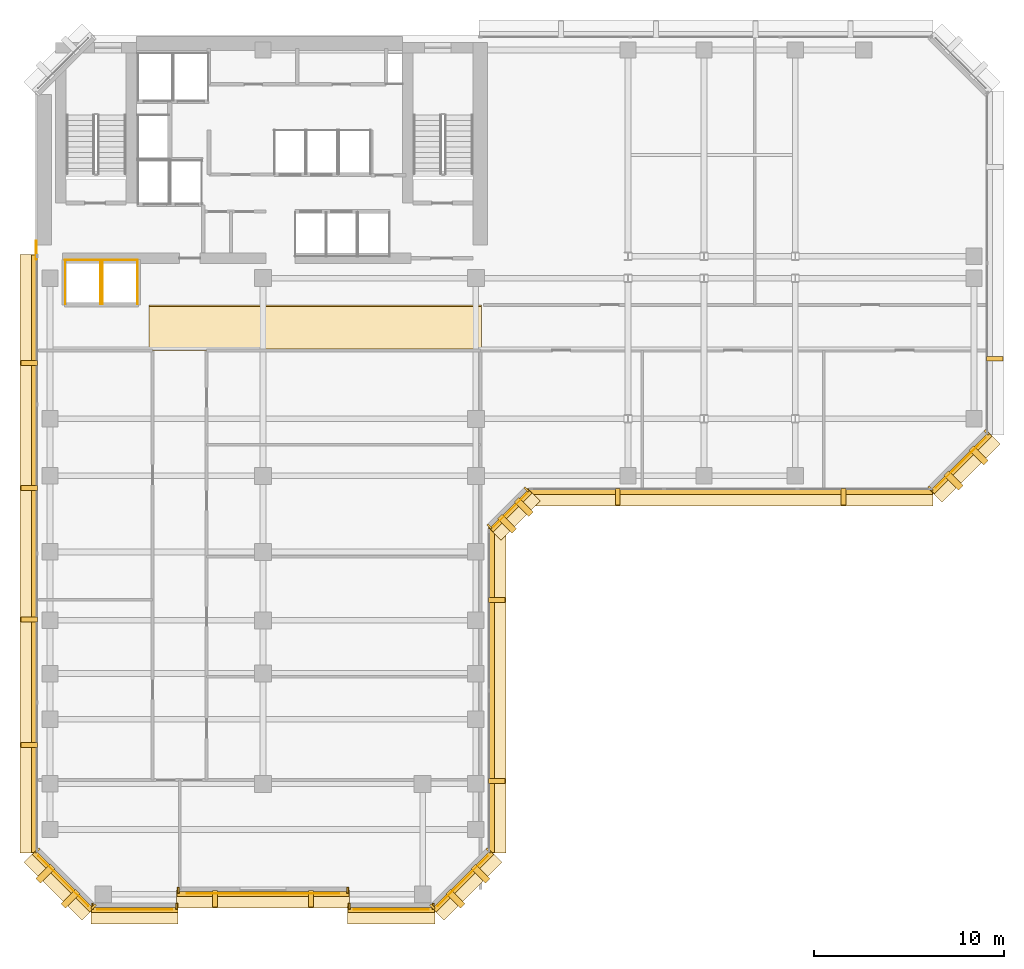
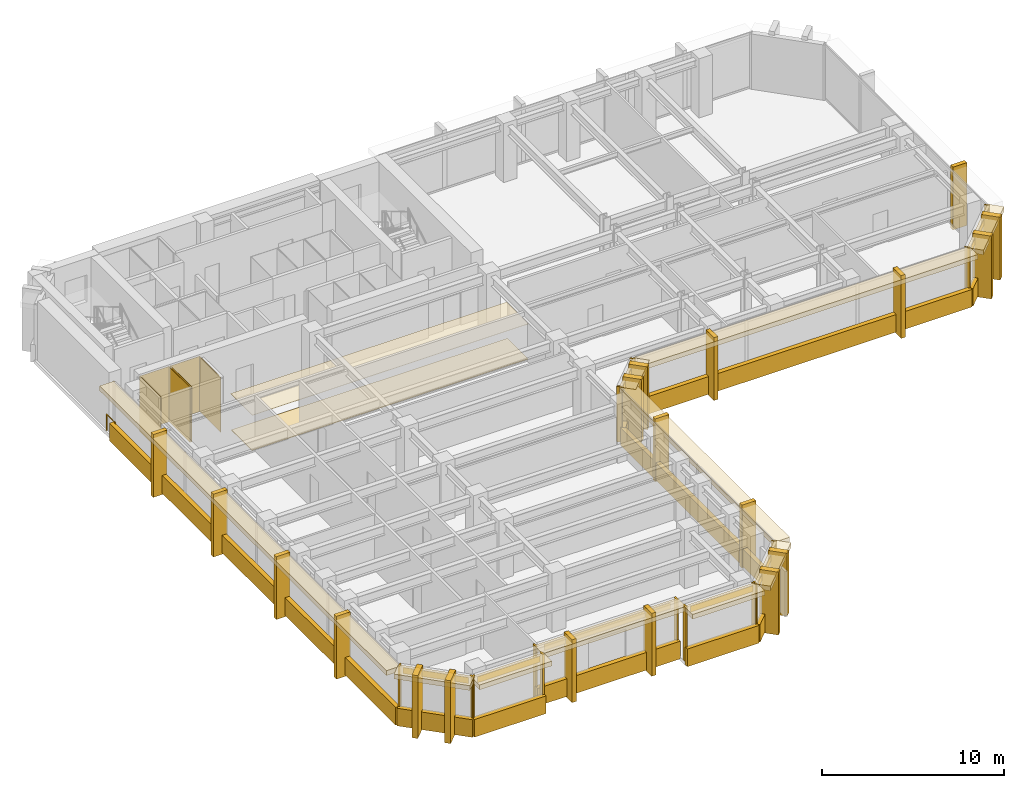
# One storey, part 9 of 11: 68 coverings, 1 railing.
"""IFC4 building model written with IfcOpenShell, lengths in metres."""

from ifc_helpers import new_model, si_unit, direction, frame, origin, origin_2d, place, context, subcontext, project, spatial, polyline, rectangle, circle, outline, extrude, material, layer, layer_set, type_object, element, save


model = new_model("IFC4")

# Units and contexts
model_context = context("Model", 3, precision=1e-05, world=origin(), true_north=direction((0.0, 1.0)))
body_context = subcontext(model_context, "Body", "Model", "MODEL_VIEW")
ifc_project = project(units=[si_unit("LENGTHUNIT", "METRE"), si_unit("AREAUNIT", "SQUARE_METRE"), si_unit("VOLUMEUNIT", "CUBIC_METRE"), si_unit("PLANEANGLEUNIT", "RADIAN"), si_unit("MASSUNIT", "GRAM", prefix="KILO")], contexts=[model_context])

# Site, building, storey
site_placement = place(None, origin())
site = spatial("IfcSite", under=ifc_project, at=site_placement, CompositionType="ELEMENT")
building_placement = place(site_placement, origin())
building = spatial("IfcBuilding", under=site, at=building_placement, Name="Kefirva Bronze Tower", CompositionType="ELEMENT")
storey_placement = place(building_placement, frame((0.0, 0.0, 146.85009765625)))
storey = spatial("IfcBuildingStorey", under=building, at=storey_placement, Name="L35", CompositionType="ELEMENT", Elevation=146.85009765625)

# Coverings
ifc_material_1 = material(Name="Acoustic mineral tile")
ifc_layer_1 = layer(ifc_material_1, 0.02490234375, Name="Acoustic mineral tile")
ifc_layer_set_1 = layer_set([ifc_layer_1], Name="Acoustic mineral tile")
covering_type_1 = type_object("IfcCoveringType", Name="Acoustic Mineral Suspended Ceiling 25mm", PredefinedType="CEILING", material=ifc_layer_set_1)
covering_1_placement = place(storey_placement, frame((0.0, 0.0, 2.39990234375)))
element("IfcCovering", 1, at=covering_1_placement, inside=storey, type_object=covering_type_1, Name="L35 Corridor Acoustic Ceiling", PredefinedType="CEILING", context=body_context, shape_type="SweptSolid", body=[
    extrude(outline(polyline([(6.0, 29.39990234375), (23.5, 29.39990234375), (23.5, 31.800048828125), (6.0, 31.800048828125), (6.0, 29.39990234375)])), origin(), (0.0, 0.0, 1.0), 0.02490234375),
])
ifc_material_2 = material(Name="Bronze anodised aluminium", Category="aluminium")
ifc_layer_2 = layer(ifc_material_2, 0.02001953125, Name="Bronze anodised aluminium")
ifc_layer_set_2 = layer_set([ifc_layer_2], Name="Bronze anodised aluminium")
covering_type_2 = type_object("IfcCoveringType", Name="Anodised Bronze Spandrel Cladding 20mm", PredefinedType="CLADDING", material=ifc_layer_set_2)
covering_2_placement = place(storey_placement, frame((5.25, -0.010009765625, 3.2900390625), z_axis=(0.0, 0.0, 1.0), x_axis=(1.0, 0.0, 0.0)))
element("IfcCovering", 2, at=covering_2_placement, inside=storey, type_object=covering_type_2, Name="L35 Bronze Spandrel Cladding 1", PredefinedType="CLADDING", context=body_context, shape_type="SweptSolid", body=[
    extrude(rectangle(XDim=3.950927734375, YDim=0.02001953125, at=origin_2d()), origin(), (0.0, 0.0, 1.0), 0.39990234375),
])
for number, where, z_axis, x_axis, name in (
    (3, (3.034912109375, 0.159912109375, 0.0), (0.0, 0.0, 1.0), (1.0, 0.0, 0.0), "L35 Facade Joint Closure Panel 1S"),
    (4, (7.465087890625, 0.159912109375, 0.0), (0.0, 0.0, 1.0), (1.0, 0.0, 0.0), "L35 Facade Joint Closure Panel 1E"),
):
    element("IfcCovering", number, at=place(storey_placement, frame(where, z_axis=z_axis, x_axis=x_axis)), inside=storey, type_object=covering_type_2, Name=name, PredefinedType="CLADDING", context=body_context, shape_type="SweptSolid", body=[
        extrude(rectangle(XDim=0.10009765625, YDim=0.320068359375, at=origin_2d()), origin(), (0.0, 0.0, 1.0), 3.7099609375),
    ])
covering_3_placement = place(storey_placement, frame((5.25, -0.0400390625, -0.16015625), z_axis=(0.0, 0.0, 1.0), x_axis=(1.0, 0.0, 0.0)))
element("IfcCovering", 5, at=covering_3_placement, inside=storey, type_object=covering_type_2, Name="L35 Streamline Horizontal Spandrel Band 0", PredefinedType="CLADDING", context=body_context, shape_type="SweptSolid", body=[
    extrude(rectangle(XDim=4.5400390625, YDim=0.280029296875, at=origin_2d()), origin(), (0.0, 0.0, 1.0), 1.179931640625),
])
covering_4_placement = place(storey_placement, frame((12.0, 0.840087890625, 3.2900390625), z_axis=(0.0, 0.0, 1.0), x_axis=(1.0, 0.0, 0.0)))
element("IfcCovering", 6, at=covering_4_placement, inside=storey, type_object=covering_type_2, Name="L35 Bronze Spandrel Cladding 2", PredefinedType="CLADDING", context=body_context, shape_type="SweptSolid", body=[
    extrude(rectangle(XDim=8.0009765625, YDim=0.02001953125, at=origin_2d()), origin(), (0.0, 0.0, 1.0), 0.39990234375),
])
for number, where, z_axis, x_axis, name in (
    (7, (7.534912109375, 1.010009765625, 0.0), (0.0, 0.0, 1.0), (1.0, 0.0, 0.0), "L35 Facade Joint Closure Panel 2S"),
    (8, (16.465087890625, 1.010009765625, 0.0), (0.0, 0.0, 1.0), (1.0, 0.0, 0.0), "L35 Facade Joint Closure Panel 2E"),
):
    element("IfcCovering", number, at=place(storey_placement, frame(where, z_axis=z_axis, x_axis=x_axis)), inside=storey, type_object=covering_type_2, Name=name, PredefinedType="CLADDING", context=body_context, shape_type="SweptSolid", body=[
        extrude(rectangle(XDim=0.10009765625, YDim=0.320068359375, at=origin_2d()), origin(), (0.0, 0.0, 1.0), 3.7099609375),
    ])
covering_5_placement = place(storey_placement, frame((12.0, 0.81005859375, -0.16015625), z_axis=(0.0, 0.0, 1.0), x_axis=(1.0, 0.0, 0.0)))
element("IfcCovering", 9, at=covering_5_placement, inside=storey, type_object=covering_type_2, Name="L35 Streamline Horizontal Spandrel Band 2", PredefinedType="CLADDING", context=body_context, shape_type="SweptSolid", body=[
    extrude(rectangle(XDim=9.0400390625, YDim=0.280029296875, at=origin_2d()), origin(), (0.0, 0.0, 1.0), 1.179931640625),
])
covering_6_placement = place(storey_placement, frame((18.75, -0.010009765625, 3.2900390625), z_axis=(0.0, 0.0, 1.0), x_axis=(1.0, 0.0, 0.0)))
element("IfcCovering", 10, at=covering_6_placement, inside=storey, type_object=covering_type_2, Name="L35 Bronze Spandrel Cladding 3", PredefinedType="CLADDING", context=body_context, shape_type="SweptSolid", body=[
    extrude(rectangle(XDim=3.950927734375, YDim=0.02001953125, at=origin_2d()), origin(), (0.0, 0.0, 1.0), 0.39990234375),
])
for number, where, z_axis, x_axis, name in (
    (11, (16.534912109375, 0.159912109375, 0.0), (0.0, 0.0, 1.0), (1.0, 0.0, 0.0), "L35 Facade Joint Closure Panel 3S"),
    (12, (20.965087890625, 0.159912109375, 0.0), (0.0, 0.0, 1.0), (1.0, 0.0, 0.0), "L35 Facade Joint Closure Panel 3E"),
):
    element("IfcCovering", number, at=place(storey_placement, frame(where, z_axis=z_axis, x_axis=x_axis)), inside=storey, type_object=covering_type_2, Name=name, PredefinedType="CLADDING", context=body_context, shape_type="SweptSolid", body=[
        extrude(rectangle(XDim=0.10009765625, YDim=0.320068359375, at=origin_2d()), origin(), (0.0, 0.0, 1.0), 3.7099609375),
    ])
covering_7_placement = place(storey_placement, frame((18.75, -0.0400390625, -0.16015625), z_axis=(0.0, 0.0, 1.0), x_axis=(1.0, 0.0, 0.0)))
element("IfcCovering", 13, at=covering_7_placement, inside=storey, type_object=covering_type_2, Name="L35 Streamline Horizontal Spandrel Band 4", PredefinedType="CLADDING", context=body_context, shape_type="SweptSolid", body=[
    extrude(rectangle(XDim=4.5400390625, YDim=0.280029296875, at=origin_2d()), origin(), (0.0, 0.0, 1.0), 1.179931640625),
])
covering_8_placement = place(storey_placement, frame((22.507080078125, 1.492919921875, 3.2900390625), z_axis=(0.0, 0.0, 1.0), x_axis=(0.707106781187, 0.707106781187, 0.0)))
element("IfcCovering", 14, at=covering_8_placement, inside=storey, type_object=covering_type_2, Name="L35 Bronze Spandrel Cladding 4", PredefinedType="CLADDING", context=body_context, shape_type="SweptSolid", body=[
    extrude(rectangle(XDim=3.719482421875, YDim=0.02001953125, at=origin_2d()), origin(), (0.0, 0.0, 1.0), 0.39990234375),
])
for number, where, z_axis, x_axis, name in (
    (15, (20.91162109375, 0.137939453125, 0.0), (0.0, 0.0, 1.0), (0.707106781187, 0.707106781187, 0.0), "L35 Facade Joint Closure Panel 4S"),
    (16, (23.862060546875, 3.08837890625, 0.0), (0.0, 0.0, 1.0), (0.707106781187, 0.707106781187, 0.0), "L35 Facade Joint Closure Panel 4E"),
):
    element("IfcCovering", number, at=place(storey_placement, frame(where, z_axis=z_axis, x_axis=x_axis)), inside=storey, type_object=covering_type_2, Name=name, PredefinedType="CLADDING", context=body_context, shape_type="SweptSolid", body=[
        extrude(rectangle(XDim=0.10009765625, YDim=0.320068359375, at=origin_2d()), origin(), (0.0, 0.0, 1.0), 3.7099609375),
    ])
covering_9_placement = place(storey_placement, frame((22.5283203125, 1.4716796875, -0.16015625), z_axis=(0.0, 0.0, 1.0), x_axis=(0.707106781187, 0.707106781187, 0.0)))
element("IfcCovering", 17, at=covering_9_placement, inside=storey, type_object=covering_type_2, Name="L35 Streamline Horizontal Spandrel Band 5", PredefinedType="CLADDING", context=body_context, shape_type="SweptSolid", body=[
    extrude(rectangle(XDim=4.28271484375, YDim=0.280029296875, at=origin_2d()), origin(), (0.0, 0.0, 1.0), 1.179931640625),
])
covering_10_placement = place(storey_placement, frame((24.0400390625, 11.5, -0.16015625), z_axis=(0.0, 0.0, 1.0), x_axis=(0.0, 1.0, 0.0)))
element("IfcCovering", 18, at=covering_10_placement, inside=storey, type_object=covering_type_2, Name="L35 Streamline Horizontal Spandrel Band 6", PredefinedType="CLADDING", context=body_context, shape_type="SweptSolid", body=[
    extrude(rectangle(XDim=17.0400390625, YDim=0.280029296875, at=origin_2d()), origin(), (0.0, 0.0, 1.0), 1.179931640625),
])
covering_11_placement = place(storey_placement, frame((25.007080078125, 20.992919921875, 3.2900390625), z_axis=(0.0, 0.0, 1.0), x_axis=(0.707106781187, 0.707106781187, 0.0)))
element("IfcCovering", 19, at=covering_11_placement, inside=storey, type_object=covering_type_2, Name="L35 Bronze Spandrel Cladding 5", PredefinedType="CLADDING", context=body_context, shape_type="SweptSolid", body=[
    extrude(rectangle(XDim=2.446533203125, YDim=0.02001953125, at=origin_2d()), origin(), (0.0, 0.0, 1.0), 0.39990234375),
])
for number, where, z_axis, x_axis, name in (
    (20, (23.91162109375, 20.137939453125, 0.0), (0.0, 0.0, 1.0), (0.707106781187, 0.707106781187, 0.0), "L35 Facade Joint Closure Panel 5S"),
    (21, (25.862060546875, 22.08837890625, 0.0), (0.0, 0.0, 1.0), (0.707106781187, 0.707106781187, 0.0), "L35 Facade Joint Closure Panel 5E"),
):
    element("IfcCovering", number, at=place(storey_placement, frame(where, z_axis=z_axis, x_axis=x_axis)), inside=storey, type_object=covering_type_2, Name=name, PredefinedType="CLADDING", context=body_context, shape_type="SweptSolid", body=[
        extrude(rectangle(XDim=0.10009765625, YDim=0.320068359375, at=origin_2d()), origin(), (0.0, 0.0, 1.0), 3.7099609375),
    ])
covering_12_placement = place(storey_placement, frame((25.0283203125, 20.9716796875, -0.16015625), z_axis=(0.0, 0.0, 1.0), x_axis=(0.707106781187, 0.707106781187, 0.0)))
element("IfcCovering", 22, at=covering_12_placement, inside=storey, type_object=covering_type_2, Name="L35 Streamline Horizontal Spandrel Band 7", PredefinedType="CLADDING", context=body_context, shape_type="SweptSolid", body=[
    extrude(rectangle(XDim=2.868408203125, YDim=0.280029296875, at=origin_2d()), origin(), (0.0, 0.0, 1.0), 1.179931640625),
])
covering_13_placement = place(storey_placement, frame((36.60009765625, 21.9599609375, -0.16015625), z_axis=(0.0, 0.0, 1.0), x_axis=(1.0, 0.0, 0.0)))
element("IfcCovering", 23, at=covering_13_placement, inside=storey, type_object=covering_type_2, Name="L35 Streamline Horizontal Spandrel Band 8", PredefinedType="CLADDING", context=body_context, shape_type="SweptSolid", body=[
    extrude(rectangle(XDim=21.239990234375, YDim=0.280029296875, at=origin_2d()), origin(), (0.0, 0.0, 1.0), 1.179931640625),
])
covering_14_placement = place(storey_placement, frame((48.70703125, 23.492919921875, 3.2900390625), z_axis=(0.0, 0.0, 1.0), x_axis=(0.707106781187, 0.707106781187, 0.0)))
element("IfcCovering", 24, at=covering_14_placement, inside=storey, type_object=covering_type_2, Name="L35 Bronze Spandrel Cladding 6", PredefinedType="CLADDING", context=body_context, shape_type="SweptSolid", body=[
    extrude(rectangle(XDim=3.719482421875, YDim=0.02001953125, at=origin_2d()), origin(), (0.0, 0.0, 1.0), 0.39990234375),
])
for number, where, z_axis, x_axis, name in (
    (25, (47.11181640625, 22.137939453125, 0.0), (0.0, 0.0, 1.0), (0.707106781187, 0.707106781187, 0.0), "L35 Facade Joint Closure Panel 6S"),
    (26, (50.06201171875, 25.08837890625, 0.0), (0.0, 0.0, 1.0), (0.707106781187, 0.707106781187, 0.0), "L35 Facade Joint Closure Panel 6E"),
):
    element("IfcCovering", number, at=place(storey_placement, frame(where, z_axis=z_axis, x_axis=x_axis)), inside=storey, type_object=covering_type_2, Name=name, PredefinedType="CLADDING", context=body_context, shape_type="SweptSolid", body=[
        extrude(rectangle(XDim=0.10009765625, YDim=0.320068359375, at=origin_2d()), origin(), (0.0, 0.0, 1.0), 3.7099609375),
    ])
covering_15_placement = place(storey_placement, frame((48.728271484375, 23.4716796875, -0.16015625), z_axis=(0.0, 0.0, 1.0), x_axis=(0.707106781187, 0.707106781187, 0.0)))
element("IfcCovering", 27, at=covering_15_placement, inside=storey, type_object=covering_type_2, Name="L35 Streamline Horizontal Spandrel Band 9", PredefinedType="CLADDING", context=body_context, shape_type="SweptSolid", body=[
    extrude(rectangle(XDim=4.28271484375, YDim=0.280029296875, at=origin_2d()), origin(), (0.0, 0.0, 1.0), 1.179931640625),
])
covering_16_placement = place(storey_placement, frame((-0.0400390625, 18.697509765625, -0.16015625), z_axis=(0.0, 0.0, 1.0), x_axis=(0.0, -1.0, 0.0)))
element("IfcCovering", 28, at=covering_16_placement, inside=storey, type_object=covering_type_2, Name="L35 Streamline Horizontal Spandrel Band 14", PredefinedType="CLADDING", context=body_context, shape_type="SweptSolid", body=[
    extrude(rectangle(XDim=31.43505859375, YDim=0.280029296875, at=origin_2d()), origin(), (0.0, 0.0, 1.0), 1.179931640625),
])
covering_17_placement = place(storey_placement, frame((1.492919921875, 1.492919921875, 3.2900390625), z_axis=(0.0, 0.0, 1.0), x_axis=(0.707106781187, -0.707106781187, 0.0)))
element("IfcCovering", 29, at=covering_17_placement, inside=storey, type_object=covering_type_2, Name="L35 Bronze Spandrel Cladding 9", PredefinedType="CLADDING", context=body_context, shape_type="SweptSolid", body=[
    extrude(rectangle(XDim=3.719482421875, YDim=0.02001953125, at=origin_2d()), origin(), (0.0, 0.0, 1.0), 0.39990234375),
])
for number, where, z_axis, x_axis, name in (
    (30, (0.137939453125, 3.08837890625, 0.0), (0.0, 0.0, 1.0), (0.707106781187, -0.707106781187, 0.0), "L35 Facade Joint Closure Panel 9S"),
    (31, (3.08837890625, 0.137939453125, 0.0), (0.0, 0.0, 1.0), (0.707106781187, -0.707106781187, 0.0), "L35 Facade Joint Closure Panel 9E"),
):
    element("IfcCovering", number, at=place(storey_placement, frame(where, z_axis=z_axis, x_axis=x_axis)), inside=storey, type_object=covering_type_2, Name=name, PredefinedType="CLADDING", context=body_context, shape_type="SweptSolid", body=[
        extrude(rectangle(XDim=0.10009765625, YDim=0.320068359375, at=origin_2d()), origin(), (0.0, 0.0, 1.0), 3.7099609375),
    ])
covering_18_placement = place(storey_placement, frame((1.4716796875, 1.4716796875, -0.16015625), z_axis=(0.0, 0.0, 1.0), x_axis=(0.707106781187, -0.707106781187, 0.0)))
element("IfcCovering", 32, at=covering_18_placement, inside=storey, type_object=covering_type_2, Name="L35 Streamline Horizontal Spandrel Band 15", PredefinedType="CLADDING", context=body_context, shape_type="SweptSolid", body=[
    extrude(rectangle(XDim=4.28271484375, YDim=0.280029296875, at=origin_2d()), origin(), (0.0, 0.0, 1.0), 1.179931640625),
])
covering_19_placement = place(storey_placement, origin())
element("IfcCovering", 33, at=covering_19_placement, inside=storey, type_object=covering_type_2, Name="L35 Lift OB1 Hoistway Liner N", PredefinedType="CLADDING", context=body_context, shape_type="SweptSolid", body=[
    extrude(outline(polyline([(1.580078125, 34.139892578125), (3.469970703125, 34.139892578125), (3.469970703125, 34.159912109375), (1.580078125, 34.159912109375), (1.580078125, 34.139892578125)])), origin(), (0.0, 0.0, 1.0), 3.7099609375),
])
covering_20_placement = place(storey_placement, origin())
element("IfcCovering", 34, at=covering_20_placement, inside=storey, type_object=covering_type_2, Name="L35 Lift OB1 Hoistway Liner W", PredefinedType="CLADDING", context=body_context, shape_type="SweptSolid", body=[
    extrude(outline(polyline([(1.590087890625, 31.830078125), (1.610107421875, 31.830078125), (1.610107421875, 34.169921875), (1.590087890625, 34.169921875), (1.590087890625, 31.830078125)])), origin(), (0.0, 0.0, 1.0), 3.7099609375),
])
covering_21_placement = place(storey_placement, origin())
element("IfcCovering", 35, at=covering_21_placement, inside=storey, type_object=covering_type_2, Name="L35 Lift OB1 Hoistway Liner E", PredefinedType="CLADDING", context=body_context, shape_type="SweptSolid", body=[
    extrude(outline(polyline([(3.43994140625, 31.830078125), (3.4599609375, 31.830078125), (3.4599609375, 34.169921875), (3.43994140625, 34.169921875), (3.43994140625, 31.830078125)])), origin(), (0.0, 0.0, 1.0), 3.7099609375),
])
covering_22_placement = place(storey_placement, origin())
element("IfcCovering", 36, at=covering_22_placement, inside=storey, type_object=covering_type_2, Name="L35 Lift OB2 Hoistway Liner N", PredefinedType="CLADDING", context=body_context, shape_type="SweptSolid", body=[
    extrude(outline(polyline([(3.530029296875, 34.139892578125), (5.419921875, 34.139892578125), (5.419921875, 34.159912109375), (3.530029296875, 34.159912109375), (3.530029296875, 34.139892578125)])), origin(), (0.0, 0.0, 1.0), 3.7099609375),
])
covering_23_placement = place(storey_placement, origin())
element("IfcCovering", 37, at=covering_23_placement, inside=storey, type_object=covering_type_2, Name="L35 Lift OB2 Hoistway Liner W", PredefinedType="CLADDING", context=body_context, shape_type="SweptSolid", body=[
    extrude(outline(polyline([(3.5400390625, 31.830078125), (3.56005859375, 31.830078125), (3.56005859375, 34.169921875), (3.5400390625, 34.169921875), (3.5400390625, 31.830078125)])), origin(), (0.0, 0.0, 1.0), 3.7099609375),
])
covering_24_placement = place(storey_placement, origin())
element("IfcCovering", 38, at=covering_24_placement, inside=storey, type_object=covering_type_2, Name="L35 Lift OB2 Hoistway Liner E", PredefinedType="CLADDING", context=body_context, shape_type="SweptSolid", body=[
    extrude(outline(polyline([(5.389892578125, 31.830078125), (5.409912109375, 31.830078125), (5.409912109375, 34.169921875), (5.389892578125, 34.169921875), (5.389892578125, 31.830078125)])), origin(), (0.0, 0.0, 1.0), 3.7099609375),
])

# Railing
ifc_material_3 = material(Name="Stainless steel 316", Category="steel")
railing_type = type_object("IfcRailingType", Name="Interior Stair Guardrail 1100mm", PredefinedType="GUARDRAIL", material=ifc_material_3)
railing_placement = place(storey_placement, frame((0.080078125, 34.199951171875, 0.0)))
element("IfcRailing", 39, at=railing_placement, inside=storey, type_object=railing_type, Name="L35 West Core Junction Guardrail", PredefinedType="GUARDRAIL", context=body_context, shape_type="SweptSolid", body=[
    extrude(circle(Radius=0.02392578125, at=origin_2d()), frame((0.0, 0.0, 1.076171875), z_axis=(0.0, 1.0, 0.0), x_axis=(-1.0, 0.0, 0.0)), (0.0, 0.0, 1.0), 0.949951171875),
    extrude(circle(Radius=0.02099609375, at=origin_2d()), origin(), (0.0, 0.0, 1.0), 1.052001953125),
    extrude(circle(Radius=0.02099609375, at=origin_2d()), frame((0.0, 0.949951171875, 0.0)), (0.0, 0.0, 1.0), 1.052001953125),
])

# Coverings
ifc_material_4 = material(Name="Calcium sulphate access tile")
ifc_layer_3 = layer(ifc_material_4, 0.044921875, Name="Calcium sulphate access tile")
ifc_layer_set_3 = layer_set([ifc_layer_3], Name="Calcium sulphate access tile")
covering_type_3 = type_object("IfcCoveringType", Name="Raised Access Office Flooring 45mm", PredefinedType="FLOORING", material=ifc_layer_set_3)
covering_25_placement = place(storey_placement, origin())
element("IfcCovering", 40, at=covering_25_placement, inside=storey, type_object=covering_type_3, Name="L35 Architectural Finish Flooring", PredefinedType="FLOORING", context=body_context, shape_type="SweptSolid", body=[
    extrude(outline(polyline([(6.0, 29.47998046875), (23.5, 29.47998046875), (23.5, 31.719970703125), (6.0, 31.719970703125), (6.0, 29.47998046875)])), origin(), (0.0, 0.0, 1.0), 0.044921875),
])
ifc_layer_4 = layer(ifc_material_2, 0.179931640625, Name="Bronze anodised aluminium")
ifc_layer_set_4 = layer_set([ifc_layer_4], Name="Bronze anodised aluminium")
covering_type_4 = type_object("IfcCoveringType", Name="Streamline Bronze Sunshade Eyebrow Cladding 180mm", PredefinedType="CLADDING", material=ifc_layer_set_4)
covering_26_placement = place(storey_placement, frame((5.25, -0.31005859375, 3.3896484375), z_axis=(0.0, 0.0, 1.0), x_axis=(1.0, 0.0, 0.0)))
element("IfcCovering", 41, at=covering_26_placement, inside=storey, type_object=covering_type_4, Name="L35 Streamline Bronze Sunshade Eyebrow 0", PredefinedType="CLADDING", context=body_context, shape_type="SweptSolid", body=[
    extrude(rectangle(XDim=4.580078125, YDim=0.93994140625, at=origin_2d()), origin(), (0.0, 0.0, 1.0), 0.320068359375),
])
covering_27_placement = place(storey_placement, frame((12.0, 0.5400390625, 3.3896484375), z_axis=(0.0, 0.0, 1.0), x_axis=(1.0, 0.0, 0.0)))
element("IfcCovering", 42, at=covering_27_placement, inside=storey, type_object=covering_type_4, Name="L35 Streamline Bronze Sunshade Eyebrow 2", PredefinedType="CLADDING", context=body_context, shape_type="SweptSolid", body=[
    extrude(rectangle(XDim=9.080078125, YDim=0.93994140625, at=origin_2d()), origin(), (0.0, 0.0, 1.0), 0.320068359375),
])
covering_28_placement = place(storey_placement, frame((18.75, -0.31005859375, 3.3896484375), z_axis=(0.0, 0.0, 1.0), x_axis=(1.0, 0.0, 0.0)))
element("IfcCovering", 43, at=covering_28_placement, inside=storey, type_object=covering_type_4, Name="L35 Streamline Bronze Sunshade Eyebrow 4", PredefinedType="CLADDING", context=body_context, shape_type="SweptSolid", body=[
    extrude(rectangle(XDim=4.580078125, YDim=0.93994140625, at=origin_2d()), origin(), (0.0, 0.0, 1.0), 0.320068359375),
])
covering_29_placement = place(storey_placement, frame((22.71923828125, 1.28076171875, 3.3896484375), z_axis=(0.0, 0.0, 1.0), x_axis=(0.707106781187, 0.707106781187, 0.0)))
element("IfcCovering", 44, at=covering_29_placement, inside=storey, type_object=covering_type_4, Name="L35 Streamline Bronze Sunshade Eyebrow 5", PredefinedType="CLADDING", context=body_context, shape_type="SweptSolid", body=[
    extrude(rectangle(XDim=4.322509765625, YDim=0.93994140625, at=origin_2d()), origin(), (0.0, 0.0, 1.0), 0.320068359375),
])
covering_30_placement = place(storey_placement, frame((24.31005859375, 11.5, 3.3896484375), z_axis=(0.0, 0.0, 1.0), x_axis=(0.0, 1.0, 0.0)))
element("IfcCovering", 45, at=covering_30_placement, inside=storey, type_object=covering_type_4, Name="L35 Streamline Bronze Sunshade Eyebrow 6", PredefinedType="CLADDING", context=body_context, shape_type="SweptSolid", body=[
    extrude(rectangle(XDim=17.080078125, YDim=0.93994140625, at=origin_2d()), origin(), (0.0, 0.0, 1.0), 0.320068359375),
])
covering_31_placement = place(storey_placement, frame((25.21923828125, 20.78076171875, 3.3896484375), z_axis=(0.0, 0.0, 1.0), x_axis=(0.707106781187, 0.707106781187, 0.0)))
element("IfcCovering", 46, at=covering_31_placement, inside=storey, type_object=covering_type_4, Name="L35 Streamline Bronze Sunshade Eyebrow 7", PredefinedType="CLADDING", context=body_context, shape_type="SweptSolid", body=[
    extrude(rectangle(XDim=2.908447265625, YDim=0.93994140625, at=origin_2d()), origin(), (0.0, 0.0, 1.0), 0.320068359375),
])
covering_32_placement = place(storey_placement, frame((36.60009765625, 21.68994140625, 3.3896484375), z_axis=(0.0, 0.0, 1.0), x_axis=(1.0, 0.0, 0.0)))
element("IfcCovering", 47, at=covering_32_placement, inside=storey, type_object=covering_type_4, Name="L35 Streamline Bronze Sunshade Eyebrow 8", PredefinedType="CLADDING", context=body_context, shape_type="SweptSolid", body=[
    extrude(rectangle(XDim=21.280029296875, YDim=0.93994140625, at=origin_2d()), origin(), (0.0, 0.0, 1.0), 0.320068359375),
])
covering_33_placement = place(storey_placement, frame((48.919189453125, 23.28076171875, 3.3896484375), z_axis=(0.0, 0.0, 1.0), x_axis=(0.707106781187, 0.707106781187, 0.0)))
element("IfcCovering", 48, at=covering_33_placement, inside=storey, type_object=covering_type_4, Name="L35 Streamline Bronze Sunshade Eyebrow 9", PredefinedType="CLADDING", context=body_context, shape_type="SweptSolid", body=[
    extrude(rectangle(XDim=4.322509765625, YDim=0.93994140625, at=origin_2d()), origin(), (0.0, 0.0, 1.0), 0.320068359375),
])
covering_34_placement = place(storey_placement, frame((-0.31005859375, 18.697509765625, 3.3896484375), z_axis=(0.0, 0.0, 1.0), x_axis=(0.0, -1.0, 0.0)))
element("IfcCovering", 49, at=covering_34_placement, inside=storey, type_object=covering_type_4, Name="L35 Streamline Bronze Sunshade Eyebrow 14", PredefinedType="CLADDING", context=body_context, shape_type="SweptSolid", body=[
    extrude(rectangle(XDim=31.47509765625, YDim=0.93994140625, at=origin_2d()), origin(), (0.0, 0.0, 1.0), 0.320068359375),
])
covering_35_placement = place(storey_placement, frame((1.28076171875, 1.28076171875, 3.3896484375), z_axis=(0.0, 0.0, 1.0), x_axis=(0.707106781187, -0.707106781187, 0.0)))
element("IfcCovering", 50, at=covering_35_placement, inside=storey, type_object=covering_type_4, Name="L35 Streamline Bronze Sunshade Eyebrow 15", PredefinedType="CLADDING", context=body_context, shape_type="SweptSolid", body=[
    extrude(rectangle(XDim=4.322509765625, YDim=0.93994140625, at=origin_2d()), origin(), (0.0, 0.0, 1.0), 0.320068359375),
])
ifc_layer_5 = layer(ifc_material_2, 0.260009765625, Name="Bronze anodised aluminium")
ifc_layer_set_5 = layer_set([ifc_layer_5], Name="Bronze anodised aluminium")
covering_type_5 = type_object("IfcCoveringType", Name="Unbroken Bronze Buttress Fin Cladding 260mm", PredefinedType="CLADDING", material=ifc_layer_set_5)
for number, where, z_axis, x_axis, name in (
    (51, (9.47998046875, 0.550048828125, -0.25), (0.0, 0.0, 1.0), (1.0, 0.0, 0.0), "L35 Unbroken Vertical Bronze Rib Fin 1"),
    (52, (14.52001953125, 0.550048828125, -0.25), (0.0, 0.0, 1.0), (1.0, 0.0, 0.0), "L35 Unbroken Vertical Bronze Rib Fin 2"),
):
    element("IfcCovering", number, at=place(storey_placement, frame(where, z_axis=z_axis, x_axis=x_axis)), inside=storey, type_object=covering_type_5, Name=name, PredefinedType="CLADDING", context=body_context, shape_type="SweptSolid", body=[
        extrude(rectangle(XDim=0.260009765625, YDim=0.8798828125, at=origin_2d()), origin(), (0.0, 0.0, 1.0), 4.2099609375),
    ])
for number, where, z_axis, x_axis, name in (
    (53, (22.122802734375, 0.55712890625, -0.25), (0.0, 0.0, 1.0), (0.707106781187, 0.707106781187, 0.0), "L35 Chamfered Corner Buttress Fin Cladding 3"),
    (54, (23.44287109375, 1.877197265625, -0.25), (0.0, 0.0, 1.0), (0.707106781187, 0.707106781187, 0.0), "L35 Chamfered Corner Buttress Fin Cladding 4"),
):
    element("IfcCovering", number, at=place(storey_placement, frame(where, z_axis=z_axis, x_axis=x_axis)), inside=storey, type_object=covering_type_5, Name=name, PredefinedType="CLADDING", context=body_context, shape_type="SweptSolid", body=[
        extrude(rectangle(XDim=0.340087890625, YDim=1.080078125, at=origin_2d()), origin(), (0.0, 0.0, 1.0), 4.2099609375),
    ])
for number, where, z_axis, x_axis, name in (
    (55, (24.300048828125, 6.739990234375, -0.25), (0.0, 0.0, 1.0), (0.0, 1.0, 0.0), "L35 Unbroken Vertical Bronze Rib Fin 5"),
    (56, (24.300048828125, 16.260009765625, -0.25), (0.0, 0.0, 1.0), (0.0, 1.0, 0.0), "L35 Unbroken Vertical Bronze Rib Fin 6"),
):
    element("IfcCovering", number, at=place(storey_placement, frame(where, z_axis=z_axis, x_axis=x_axis)), inside=storey, type_object=covering_type_5, Name=name, PredefinedType="CLADDING", context=body_context, shape_type="SweptSolid", body=[
        extrude(rectangle(XDim=0.260009765625, YDim=0.8798828125, at=origin_2d()), origin(), (0.0, 0.0, 1.0), 4.2099609375),
    ])
for number, where, z_axis, x_axis, name in (
    (57, (24.8427734375, 20.277099609375, -0.25), (0.0, 0.0, 1.0), (0.707106781187, 0.707106781187, 0.0), "L35 Chamfered Corner Buttress Fin Cladding 7"),
    (58, (25.722900390625, 21.1572265625, -0.25), (0.0, 0.0, 1.0), (0.707106781187, 0.707106781187, 0.0), "L35 Chamfered Corner Buttress Fin Cladding 8"),
):
    element("IfcCovering", number, at=place(storey_placement, frame(where, z_axis=z_axis, x_axis=x_axis)), inside=storey, type_object=covering_type_5, Name=name, PredefinedType="CLADDING", context=body_context, shape_type="SweptSolid", body=[
        extrude(rectangle(XDim=0.340087890625, YDim=1.080078125, at=origin_2d()), origin(), (0.0, 0.0, 1.0), 4.2099609375),
    ])
for number, where, z_axis, x_axis, name in (
    (59, (30.6640625, 21.699951171875, -0.25), (0.0, 0.0, 1.0), (1.0, 0.0, 0.0), "L35 Unbroken Vertical Bronze Rib Fin 9"),
    (60, (42.535888671875, 21.699951171875, -0.25), (0.0, 0.0, 1.0), (1.0, 0.0, 0.0), "L35 Unbroken Vertical Bronze Rib Fin 10"),
):
    element("IfcCovering", number, at=place(storey_placement, frame(where, z_axis=z_axis, x_axis=x_axis)), inside=storey, type_object=covering_type_5, Name=name, PredefinedType="CLADDING", context=body_context, shape_type="SweptSolid", body=[
        extrude(rectangle(XDim=0.260009765625, YDim=0.8798828125, at=origin_2d()), origin(), (0.0, 0.0, 1.0), 4.2099609375),
    ])
for number, where, z_axis, x_axis, name in (
    (61, (48.32275390625, 22.55712890625, -0.25), (0.0, 0.0, 1.0), (0.707106781187, 0.707106781187, 0.0), "L35 Chamfered Corner Buttress Fin Cladding 11"),
    (62, (49.642822265625, 23.877197265625, -0.25), (0.0, 0.0, 1.0), (0.707106781187, 0.707106781187, 0.0), "L35 Chamfered Corner Buttress Fin Cladding 12"),
):
    element("IfcCovering", number, at=place(storey_placement, frame(where, z_axis=z_axis, x_axis=x_axis)), inside=storey, type_object=covering_type_5, Name=name, PredefinedType="CLADDING", context=body_context, shape_type="SweptSolid", body=[
        extrude(rectangle(XDim=0.340087890625, YDim=1.080078125, at=origin_2d()), origin(), (0.0, 0.0, 1.0), 4.2099609375),
    ])
for number, where, z_axis, x_axis, name in (
    (63, (50.5, 28.9599609375, -0.25), (0.0, 0.0, 1.0), (0.0, 1.0, 0.0), "L35 Unbroken Vertical Bronze Rib Fin 13"),
    (64, (-0.300048828125, 28.743896484375, -0.25), (0.0, 0.0, 1.0), (0.0, -1.0, 0.0), "L35 Unbroken Vertical Bronze Rib Fin 23"),
    (65, (-0.300048828125, 22.15087890625, -0.25), (0.0, 0.0, 1.0), (0.0, -1.0, 0.0), "L35 Unbroken Vertical Bronze Rib Fin 24"),
    (66, (-0.300048828125, 15.244140625, -0.25), (0.0, 0.0, 1.0), (0.0, -1.0, 0.0), "L35 Unbroken Vertical Bronze Rib Fin 25"),
    (67, (-0.300048828125, 8.651123046875, -0.25), (0.0, 0.0, 1.0), (0.0, -1.0, 0.0), "L35 Unbroken Vertical Bronze Rib Fin 26"),
):
    element("IfcCovering", number, at=place(storey_placement, frame(where, z_axis=z_axis, x_axis=x_axis)), inside=storey, type_object=covering_type_5, Name=name, PredefinedType="CLADDING", context=body_context, shape_type="SweptSolid", body=[
        extrude(rectangle(XDim=0.260009765625, YDim=0.8798828125, at=origin_2d()), origin(), (0.0, 0.0, 1.0), 4.2099609375),
    ])
for number, where, z_axis, x_axis, name in (
    (68, (0.55712890625, 1.877197265625, -0.25), (0.0, 0.0, 1.0), (0.707106781187, -0.707106781187, 0.0), "L35 Chamfered Corner Buttress Fin Cladding 27"),
    (69, (1.877197265625, 0.55712890625, -0.25), (0.0, 0.0, 1.0), (0.707106781187, -0.707106781187, 0.0), "L35 Chamfered Corner Buttress Fin Cladding 28"),
):
    element("IfcCovering", number, at=place(storey_placement, frame(where, z_axis=z_axis, x_axis=x_axis)), inside=storey, type_object=covering_type_5, Name=name, PredefinedType="CLADDING", context=body_context, shape_type="SweptSolid", body=[
        extrude(rectangle(XDim=0.340087890625, YDim=1.080078125, at=origin_2d()), origin(), (0.0, 0.0, 1.0), 4.2099609375),
    ])

save(model, "model.ifc")
